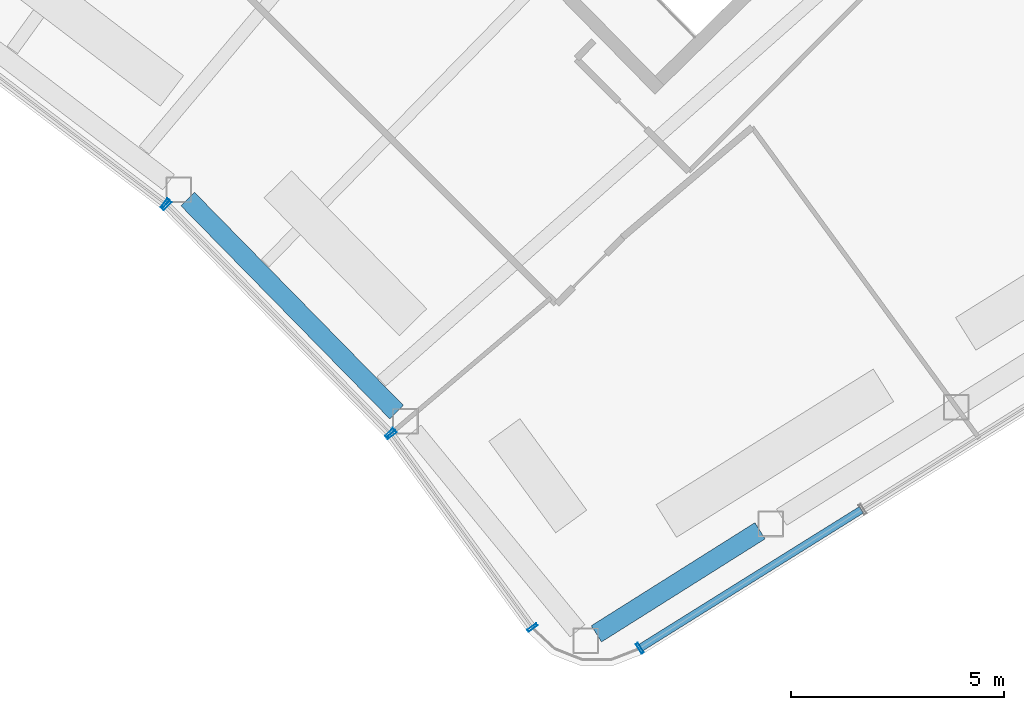
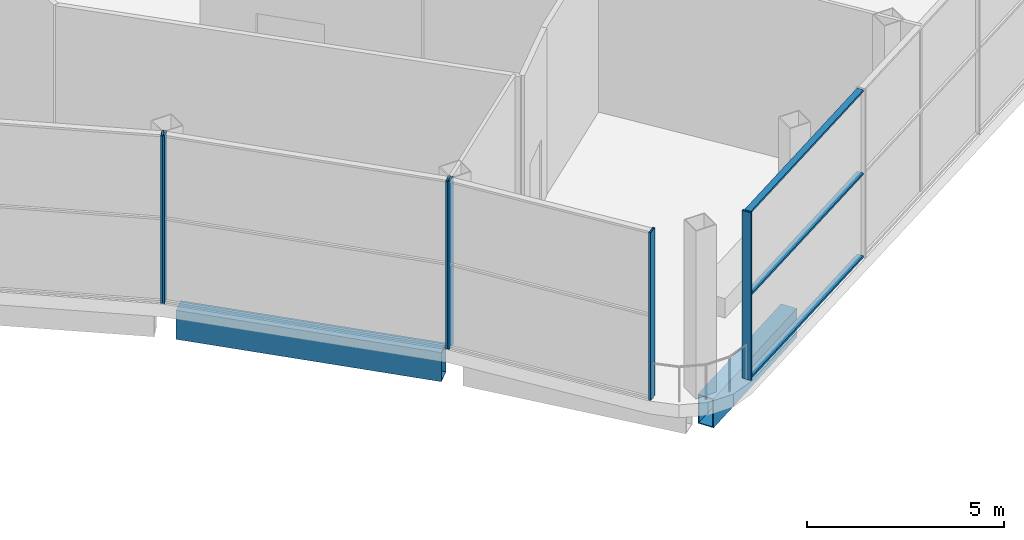
# One storey, part 23 of 44: 9 members, 2 beams, 4 elements without a shape of their own.
"""IFC4 building model written with IfcOpenShell, lengths in metres."""

from ifc_helpers import new_model, si_unit, direction, frame, origin, origin_2d, place, context, subcontext, project, spatial, hollow_rectangle, extrude, material, layer, layer_set, material_profile, profile_set, type_object, element, aggregate, save


model = new_model("IFC4")

# Units and contexts
model_context = context("Model", 3, precision=1e-05, world=origin(), true_north=direction((0.0, 1.0)))
body_context = subcontext(model_context, "Body", "Model", "MODEL_VIEW")
ifc_project = project(units=[si_unit("LENGTHUNIT", "METRE"), si_unit("AREAUNIT", "SQUARE_METRE"), si_unit("VOLUMEUNIT", "CUBIC_METRE"), si_unit("PLANEANGLEUNIT", "RADIAN"), si_unit("MASSUNIT", "GRAM", prefix="KILO")], contexts=[model_context])

# Site, building, storey
site_placement = place(None, origin())
site = spatial("IfcSite", under=ifc_project, at=site_placement, CompositionType="ELEMENT")
building_placement = place(site_placement, origin())
building = spatial("IfcBuilding", under=site, at=building_placement, Name="Tuul Gate Civic Tower", CompositionType="ELEMENT")
storey_placement = place(building_placement, frame((0.0, 0.0, 354.60009765625)))
storey = spatial("IfcBuildingStorey", under=building, at=storey_placement, Name="Observation level 2", CompositionType="ELEMENT", Elevation=354.60009765625)

# Curtain wall, member
ifc_material_1 = material(Name="Stainless steel", Category="steel")
ifc_layer = layer(ifc_material_1, 0.199951171875)
ifc_layer_set = layer_set([ifc_layer], Name="Stainless steel")
curtain_wall_type = type_object("IfcCurtainWallType", Name="Curtain wall CW4", PredefinedType="NOTDEFINED", material=ifc_layer_set)
curtain_wall_1_placement = place(storey_placement, origin())
curtain_wall_1 = element("IfcCurtainWall", 1, at=curtain_wall_1_placement, inside=storey, type_object=curtain_wall_type, Name="Curtain wall CW4", PredefinedType="NOTDEFINED")
ifc_material_2 = material(Name="Stainless steel", Category="steel")
ifc_material_profile_1 = material_profile(ifc_material_2, hollow_rectangle(XDim=0.260009765625, YDim=0.06005859375, WallThickness=0.006103515625, at=origin_2d()), Name="CW4 mullion")
ifc_profile_set_1 = profile_set([ifc_material_profile_1], Name="Stainless steel")
member_type_1 = type_object("IfcMemberType", Name="CW4 mullion", PredefinedType="MULLION", material=ifc_profile_set_1)
member_1_placement = place(storey_placement, frame((36.63623046875, -20.995849609375, 0.0), z_axis=(0.0, 0.0, 1.0), x_axis=(0.605851052715, 0.795578092914, 0.0)))
member_1 = element("IfcMember", 2, at=member_1_placement, type_object=member_type_1, Name="Mullion", PredefinedType="MULLION", context=body_context, shape_type="SweptSolid", body=[
    extrude(hollow_rectangle(XDim=0.260009765625, YDim=0.06005859375, WallThickness=0.006103515625, at=origin_2d()), origin(), (0.0, 0.0, 1.0), 5.199951171875),
])
aggregate(curtain_wall_1, [member_1])

# Curtain wall, members
curtain_wall_2_placement = place(storey_placement, origin())
curtain_wall_2 = element("IfcCurtainWall", 3, at=curtain_wall_2_placement, inside=storey, type_object=curtain_wall_type, Name="Curtain wall CW4", PredefinedType="NOTDEFINED")
member_2_placement = place(storey_placement, frame((36.680908203125, -21.035400390625, 0.0), z_axis=(0.0, 0.0, 1.0), x_axis=(0.714048093092, 0.700096651008, 0.0)))
member_2 = element("IfcMember", 4, at=member_2_placement, type_object=member_type_1, Name="Mullion", PredefinedType="MULLION", context=body_context, shape_type="SweptSolid", body=[
    extrude(hollow_rectangle(XDim=0.260009765625, YDim=0.06005859375, WallThickness=0.006103515625, at=origin_2d()), origin(), (0.0, 0.0, 1.0), 5.199951171875),
])
member_3_placement = place(storey_placement, frame((41.907958984375, -26.36669921875, 0.0), z_axis=(0.0, 0.0, 1.0), x_axis=(0.714048093092, 0.700096651008, 0.0)))
member_3 = element("IfcMember", 5, at=member_3_placement, type_object=member_type_1, Name="Mullion", PredefinedType="MULLION", context=body_context, shape_type="SweptSolid", body=[
    extrude(hollow_rectangle(XDim=0.260009765625, YDim=0.06005859375, WallThickness=0.006103515625, at=origin_2d()), origin(), (0.0, 0.0, 1.0), 5.199951171875),
])
aggregate(curtain_wall_2, [member_2, member_3])

curtain_wall_3_placement = place(storey_placement, origin())
curtain_wall_3 = element("IfcCurtainWall", 6, at=curtain_wall_3_placement, inside=storey, type_object=curtain_wall_type, Name="Curtain wall CW4", PredefinedType="NOTDEFINED")
member_4_placement = place(storey_placement, frame((41.94677734375, -26.412109375, 0.0), z_axis=(0.0, 0.0, 1.0), x_axis=(0.807595190444, 0.589737236717, 0.0)))
member_4 = element("IfcMember", 7, at=member_4_placement, type_object=member_type_1, Name="Mullion", PredefinedType="MULLION", context=body_context, shape_type="SweptSolid", body=[
    extrude(hollow_rectangle(XDim=0.260009765625, YDim=0.06005859375, WallThickness=0.006103515625, at=origin_2d()), origin(), (0.0, 0.0, 1.0), 5.199951171875),
])
member_5_placement = place(storey_placement, frame((45.246337890625, -30.9306640625, 0.0), z_axis=(0.0, 0.0, 1.0), x_axis=(0.807595190444, 0.589737236717, 0.0)))
member_5 = element("IfcMember", 8, at=member_5_placement, type_object=member_type_1, Name="Mullion", PredefinedType="MULLION", context=body_context, shape_type="SweptSolid", body=[
    extrude(hollow_rectangle(XDim=0.260009765625, YDim=0.06005859375, WallThickness=0.006103515625, at=origin_2d()), origin(), (0.0, 0.0, 1.0), 5.199951171875),
])
aggregate(curtain_wall_3, [member_4, member_5])

curtain_wall_4_placement = place(storey_placement, origin())
curtain_wall_4 = element("IfcCurtainWall", 9, at=curtain_wall_4_placement, inside=storey, type_object=curtain_wall_type, Name="Curtain wall CW4", PredefinedType="NOTDEFINED")
member_6_placement = place(storey_placement, frame((47.764404296875, -31.4169921875, 0.0), z_axis=(0.0, 0.0, 1.0), x_axis=(-0.529911707044, 0.848052818366, 0.0)))
member_6 = element("IfcMember", 10, at=member_6_placement, type_object=member_type_1, Name="Mullion", PredefinedType="MULLION", context=body_context, shape_type="SweptSolid", body=[
    extrude(hollow_rectangle(XDim=0.260009765625, YDim=0.06005859375, WallThickness=0.006103515625, at=origin_2d()), origin(), (0.0, 0.0, 1.0), 5.199951171875),
])
ifc_material_3 = material(Name="Stainless steel", Category="steel")
ifc_material_profile_2 = material_profile(ifc_material_3, hollow_rectangle(XDim=0.179931640625, YDim=0.06005859375, WallThickness=0.006103515625, at=origin_2d()), Name="CW4 transom")
ifc_profile_set_2 = profile_set([ifc_material_profile_2], Name="Stainless steel")
member_type_2 = type_object("IfcMemberType", Name="CW4 transom", PredefinedType="USERDEFINED", material=ifc_profile_set_2)
member_7_placement = place(storey_placement, frame((47.789794921875, -31.401123046875, 0.02978515625), z_axis=(0.848061330944, 0.529898083557, 0.0), x_axis=(-0.529898083557, 0.848061330944, 0.0)))
member_7 = element("IfcMember", 11, at=member_7_placement, type_object=member_type_2, Name="Transom", ObjectType="TRANSOM", PredefinedType="USERDEFINED", context=body_context, shape_type="SweptSolid", body=[
    extrude(hollow_rectangle(XDim=0.179931640625, YDim=0.06005859375, WallThickness=0.006103515625, at=origin_2d()), origin(), (0.0, 0.0, 1.0), 6.0927734375),
])
member_8_placement = place(storey_placement, frame((47.789794921875, -31.401123046875, 2.599853515625), z_axis=(0.848061330944, 0.529898083557, 0.0), x_axis=(-0.529898083557, 0.848061330944, 0.0)))
member_8 = element("IfcMember", 12, at=member_8_placement, type_object=member_type_2, Name="Transom", ObjectType="TRANSOM", PredefinedType="USERDEFINED", context=body_context, shape_type="SweptSolid", body=[
    extrude(hollow_rectangle(XDim=0.179931640625, YDim=0.06005859375, WallThickness=0.006103515625, at=origin_2d()), origin(), (0.0, 0.0, 1.0), 6.0927734375),
])
member_9_placement = place(storey_placement, frame((47.789794921875, -31.401123046875, 5.169921875), z_axis=(0.848061330944, 0.529898083557, 0.0), x_axis=(-0.529898083557, 0.848061330944, 0.0)))
member_9 = element("IfcMember", 13, at=member_9_placement, type_object=member_type_2, Name="Transom", ObjectType="TRANSOM", PredefinedType="USERDEFINED", context=body_context, shape_type="SweptSolid", body=[
    extrude(hollow_rectangle(XDim=0.179931640625, YDim=0.06005859375, WallThickness=0.006103515625, at=origin_2d()), origin(), (0.0, 0.0, 1.0), 6.0927734375),
])
aggregate(curtain_wall_4, [member_6, member_7, member_8, member_9])

# Beams
ifc_material_4 = material(Name="Steel S355", Category="steel")
ifc_material_profile_3 = material_profile(ifc_material_4, hollow_rectangle(XDim=0.449951171875, YDim=0.89990234375, WallThickness=0.02490234375, at=origin_2d()), Name="BOX900x450x25")
ifc_profile_set_3 = profile_set([ifc_material_profile_3], Name="Steel S355")
beam_type = type_object("IfcBeamType", Name="STR-SPANDREL BEAM-BOX900x450x25", PredefinedType="BEAM", material=ifc_profile_set_3)
beam_1_placement = place(storey_placement, frame((37.1689453125, -20.88916015625, -0.85009765625), z_axis=(0.699947818205, -0.714193987507, 0.0), x_axis=(0.714193987507, 0.699947818205, 0.0)))
element("IfcBeam", 14, at=beam_1_placement, inside=storey, type_object=beam_type, Name="Spandrel beam", PredefinedType="BEAM", context=body_context, shape_type="SweptSolid", body=[
    extrude(hollow_rectangle(XDim=0.449951171875, YDim=0.89990234375, WallThickness=0.02490234375, at=origin_2d()), origin(), (0.0, 0.0, 1.0), 6.991943359375),
])
beam_2_placement = place(storey_placement, frame((46.746826171875, -31.0791015625, -0.85009765625), z_axis=(0.846119459476, 0.532993302299, 0.0), x_axis=(-0.532993302299, 0.846119459476, 0.0)))
element("IfcBeam", 15, at=beam_2_placement, inside=storey, type_object=beam_type, Name="Spandrel beam", PredefinedType="BEAM", context=body_context, shape_type="SweptSolid", body=[
    extrude(hollow_rectangle(XDim=0.449951171875, YDim=0.89990234375, WallThickness=0.02490234375, at=origin_2d()), origin(), (0.0, 0.0, 1.0), 4.531494140625),
])

save(model, "model.ifc")
